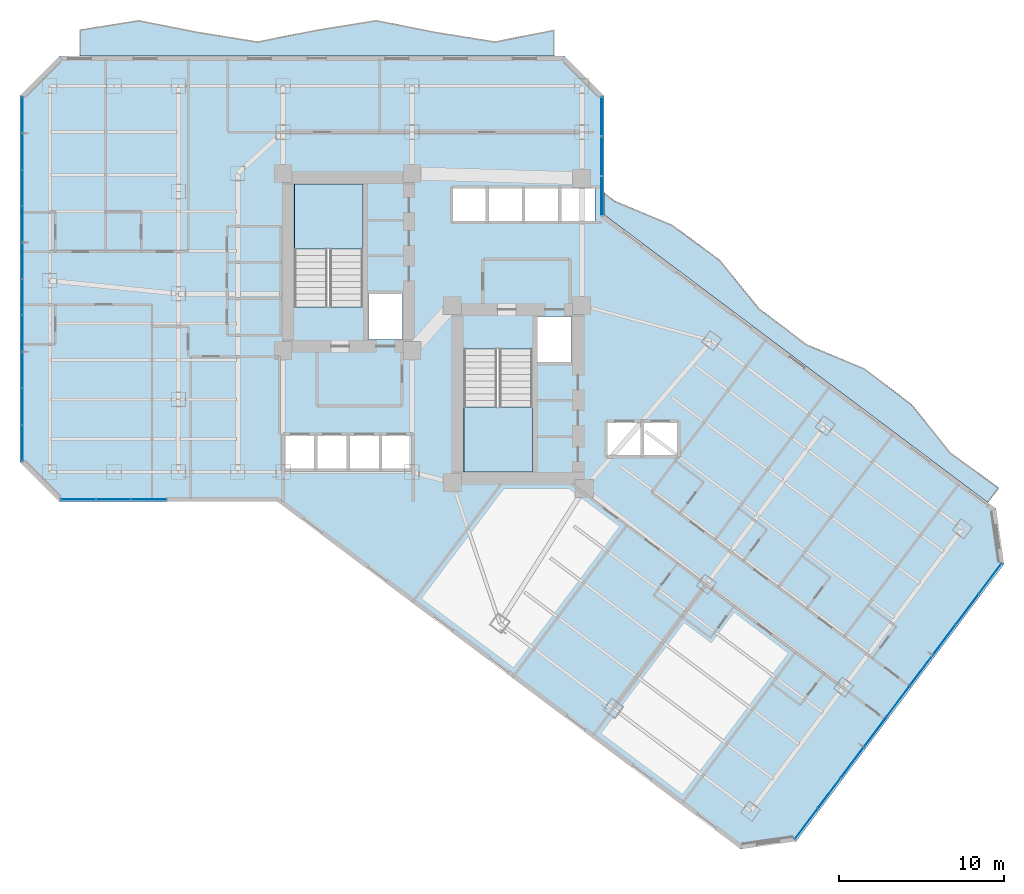
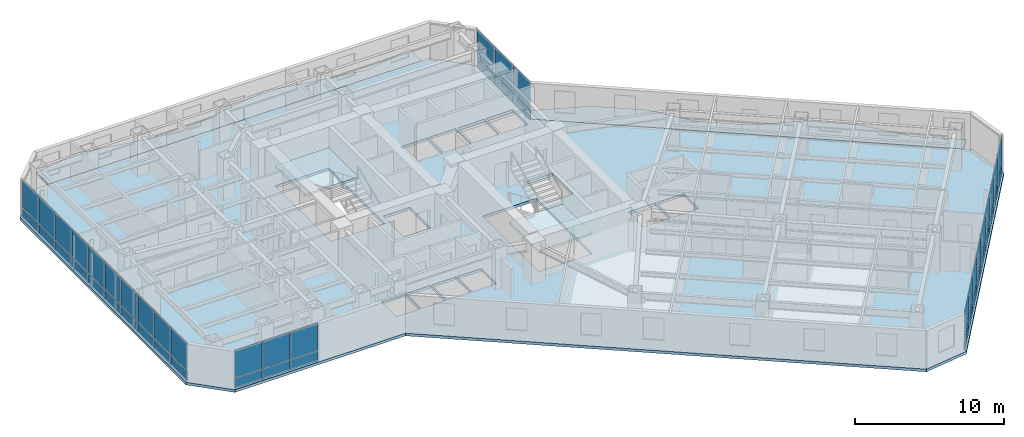
# One storey, part 20 of 31: 50 plates, 5 slabs, 6 elements without a shape of their own.
"""IFC4 building model written with IfcOpenShell, lengths in metres."""

import ifcopenshell
import ifcopenshell.guid

model = None  # the IFC model being written
_history = None  # IfcOwnerHistory: only IFC2X3 demands one
_inside = {}  # id of a spatial element -> (the spatial element, [elements in it])
_under = {}  # id of a project, library or spatial element -> (it, [spatial elements below it])
_declared = {}  # id of a project -> (the project, [libraries it declares])
_typed = {}  # id of a type object -> (the type object, [elements of that type])
_made_of = {}  # id of a material, layer set ... -> (it, [elements and type objects made of it])


def new_model(schema):
    """Start an empty IFC model of exactly this schema.

    Asked for "IFC4X3", IfcOpenShell would pick the latest addendum, in which some entities
    have other attributes; the version numbers below select the first issue.
    IFC2X3 requires an IfcOwnerHistory on every rooted entity: one is made here for all.
    """
    global model, _history
    if schema == "IFC4X3":
        model = ifcopenshell.file(schema_version=(4, 3, 0, 0))
    else:
        model = ifcopenshell.file(schema=schema)
    _inside.clear()
    _under.clear()
    _declared.clear()
    _typed.clear()
    _made_of.clear()
    _history = None
    if model.schema == "IFC2X3":
        org = make("IfcOrganization", Name="unknown")
        user = make(
            "IfcPersonAndOrganization",
            ThePerson=make("IfcPerson", FamilyName="unknown"),
            TheOrganization=org,
        )
        app = make(
            "IfcApplication",
            ApplicationDeveloper=org,
            Version="unknown",
            ApplicationFullName="unknown",
            ApplicationIdentifier="unknown",
        )
        _history = make(
            "IfcOwnerHistory",
            OwningUser=user,
            OwningApplication=app,
            ChangeAction="ADDED",
            CreationDate=0,
        )
    return model


def make(cls, **values):
    """One entity of the class cls with the attributes given. An attribute that is None is left unset."""
    return model.create_entity(
        cls, **{name: value for name, value in values.items() if value is not None}
    )


def rooted(cls, **values):
    """An entity with a GlobalId (a new one), such as an element, a storey or a relation."""
    return make(cls, GlobalId=ifcopenshell.guid.new(), OwnerHistory=_history, **values)


def si_unit(unit_type, name, prefix=None):
    """IfcSIUnit, for example si_unit("LENGTHUNIT", "METRE", prefix="MILLI")."""
    return make("IfcSIUnit", UnitType=unit_type, Prefix=prefix, Name=name)


def assignment(units):
    """IfcUnitAssignment: the units of a project."""
    return None if units is None else make("IfcUnitAssignment", Units=units)


def point(xyz):
    """IfcCartesianPoint."""
    return None if xyz is None else make("IfcCartesianPoint", Coordinates=xyz)


def direction(xyz):
    """IfcDirection."""
    return None if xyz is None else make("IfcDirection", DirectionRatios=xyz)


def frame(location, z_axis=None, x_axis=None):
    """IfcAxis2Placement3D, a coordinate frame: its origin and axes. An axis left out is left unset."""
    return make(
        "IfcAxis2Placement3D",
        Location=point(location),
        Axis=direction(z_axis),
        RefDirection=direction(x_axis),
    )


def frame_2d(location, x_axis=None):
    """IfcAxis2Placement2D, a coordinate frame in the plane: its origin and x axis."""
    return make(
        "IfcAxis2Placement2D", Location=point(location), RefDirection=direction(x_axis)
    )


def origin():
    """The frame at (0, 0, 0) with its axes left unset."""
    return frame((0.0, 0.0, 0.0))


def origin_2d():
    """The frame at (0, 0) in the plane with its x axis left unset."""
    return frame_2d((0.0, 0.0))


def place(relative_to, where):
    """IfcLocalPlacement: puts the frame where relative to a parent placement (None: the world)."""
    return make(
        "IfcLocalPlacement", PlacementRelTo=relative_to, RelativePlacement=where
    )


def context(
    kind, dimensions, precision=None, world=None, true_north=None, identifier=None
):
    """IfcGeometricRepresentationContext, for example the 3D "Model" context."""
    return make(
        "IfcGeometricRepresentationContext",
        ContextIdentifier=identifier,
        ContextType=kind,
        CoordinateSpaceDimension=dimensions,
        Precision=precision,
        WorldCoordinateSystem=world,
        TrueNorth=true_north,
    )


def subcontext(parent, identifier, kind, view, scale=None):
    """IfcGeometricRepresentationSubContext, for example "Body" below "Model"."""
    return make(
        "IfcGeometricRepresentationSubContext",
        ContextIdentifier=identifier,
        ContextType=kind,
        ParentContext=parent,
        TargetScale=scale,
        TargetView=view,
    )


def project(units=None, contexts=None):
    """IfcProject with its units and contexts."""
    return rooted(
        "IfcProject",
        Name="project",
        RepresentationContexts=contexts,
        UnitsInContext=assignment(units),
    )


def spatial(cls, under=None, at=None, **own):
    """A site, building, storey or space (cls), placed at a placement, below another one or the project."""
    s = rooted(cls, ObjectPlacement=at, **own)
    if under is not None:
        _under.setdefault(under.id(), (under, []))[1].append(s)
    return s


def polyline(points):
    """IfcPolyline through the points."""
    return make("IfcPolyline", Points=[point(p) for p in points])


def profile(cls, at=None, kind="AREA", **sizes):
    """A parametric profile (cls). Its sizes go by their IFC names, for example OverallWidth=200.0."""
    return make(cls, ProfileType=kind, Position=at, **sizes)


def rectangle(**sizes):
    """IfcRectangleProfileDef."""
    return profile("IfcRectangleProfileDef", **sizes)


def outline(outer, holes=None, kind="AREA"):
    """IfcArbitraryClosedProfileDef: a profile drawn as a closed curve; with holes, ...WithVoids."""
    if holes is None:
        return make("IfcArbitraryClosedProfileDef", ProfileType=kind, OuterCurve=outer)
    return make(
        "IfcArbitraryProfileDefWithVoids",
        ProfileType=kind,
        OuterCurve=outer,
        InnerCurves=holes,
    )


def extrude(swept, where, along, depth):
    """IfcExtrudedAreaSolid: the profile swept, set in the frame where, extruded along a direction by depth."""
    return make(
        "IfcExtrudedAreaSolid",
        SweptArea=swept,
        Position=where,
        ExtrudedDirection=direction(along),
        Depth=depth,
    )


def shape(context_of_items, identifier, shape_type, items):
    """IfcShapeRepresentation: the items that make up one representation, for example the "Body"."""
    return make(
        "IfcShapeRepresentation",
        ContextOfItems=context_of_items,
        RepresentationIdentifier=identifier,
        RepresentationType=shape_type,
        Items=items,
    )


def material(Name=None, Category=None):
    """IfcMaterial."""
    return make("IfcMaterial", Name=Name, Category=Category)


def layer(
    of_material, thickness, ventilated=None, Name=None, Category=None, Priority=None
):
    """IfcMaterialLayer: one layer of a wall or slab, of a material (None: an air gap)."""
    return make(
        "IfcMaterialLayer",
        Material=of_material,
        LayerThickness=thickness,
        IsVentilated=ventilated,
        Name=Name,
        Category=Category,
        Priority=Priority,
    )


def layer_set(layers, Name=None):
    """IfcMaterialLayerSet."""
    return make("IfcMaterialLayerSet", MaterialLayers=layers, LayerSetName=Name)


def made_of(thing, what):
    """Note that an element or type object is made of a material, layer set ...; save() writes the relation."""
    if what is not None:
        _made_of.setdefault(what.id(), (what, []))[1].append(thing)
    return thing


def type_object(cls, material=None, **own):
    """A type object (cls), such as IfcWallType, which elements share."""
    return made_of(rooted(cls, **own), material)


def element(
    cls,
    number,
    at=None,
    inside=None,
    cuts=None,
    type_object=None,
    material=None,
    context=None,
    identifier="Body",
    shape_type=None,
    held_by="IfcProductDefinitionShape",
    body=None,
    shapes=None,
    **own,
):
    """One element of the class cls, such as IfcWall. Its Tag is "e" and its number.

    at: its placement. inside: the storey or other place that contains it. cuts: it is an
    opening in that element (IfcRelVoidsElement). A single representation is given by context,
    identifier, shape_type and body (its items); several are given by shapes. held_by: the class
    of the entity that holds the representations. save() writes the other relations.
    """
    e = rooted(cls, Tag="e%d" % number, ObjectPlacement=at, **own)
    if body is not None:
        shapes = [shape(context, identifier, shape_type, body)]
    if shapes is not None:
        e.Representation = make(held_by, Representations=shapes)
    if inside is not None:
        _inside.setdefault(inside.id(), (inside, []))[1].append(e)
    if cuts is not None:
        rooted(
            "IfcRelVoidsElement", RelatingBuildingElement=cuts, RelatedOpeningElement=e
        )
    if type_object is not None:
        _typed.setdefault(type_object.id(), (type_object, []))[1].append(e)
    return made_of(e, material)


def aggregate(whole, parts):
    """IfcRelAggregates: a whole, such as a stair, and the parts it consists of."""
    return rooted("IfcRelAggregates", RelatingObject=whole, RelatedObjects=parts)


def save(model, path):
    """Write the relations noted so far, then the file.

    IfcRelAggregates (storeys below a building ...), IfcRelContainedInSpatialStructure (elements
    in a storey), IfcRelDefinesByType, IfcRelAssociatesMaterial and IfcRelDeclares: one each for
    every whole, place, type object, material and project.
    """
    for whole, parts in _under.values():
        aggregate(whole, parts)
    for where, things in _inside.values():
        rooted(
            "IfcRelContainedInSpatialStructure",
            RelatedElements=things,
            RelatingStructure=where,
        )
    for kind, things in _typed.values():
        rooted("IfcRelDefinesByType", RelatedObjects=things, RelatingType=kind)
    for what, things in _made_of.values():
        rooted("IfcRelAssociatesMaterial", RelatedObjects=things, RelatingMaterial=what)
    for by, libraries in _declared.values():
        rooted("IfcRelDeclares", RelatingContext=by, RelatedDefinitions=libraries)
    model.write(path)


model = new_model("IFC4")

# Units and contexts
model_context = context("Model", 3, precision=1e-05, world=origin(), true_north=direction((0.0, 1.0)))
body_context = subcontext(model_context, "Body", "Model", "MODEL_VIEW")
ifc_project = project(units=[si_unit("LENGTHUNIT", "METRE"), si_unit("AREAUNIT", "SQUARE_METRE"), si_unit("VOLUMEUNIT", "CUBIC_METRE"), si_unit("PLANEANGLEUNIT", "RADIAN"), si_unit("MASSUNIT", "GRAM", prefix="KILO")], contexts=[model_context])

# Site, building, storey
site_placement = place(None, origin())
site = spatial("IfcSite", under=ifc_project, at=site_placement, CompositionType="ELEMENT")
building_placement = place(site_placement, origin())
building = spatial("IfcBuilding", under=site, at=building_placement, Name="Hatsunagi Terrace Concourse", CompositionType="ELEMENT")
storey_placement = place(building_placement, frame((0.0, 0.0, 81.300048828125)))
storey = spatial("IfcBuildingStorey", under=building, at=storey_placement, Name="L21", CompositionType="ELEMENT", Elevation=81.300048828125)

# Curtain wall, plates
ifc_material_1 = material(Name="Anodised Aluminium Alloy 6063-T5", Category="aluminium")
ifc_layer_1 = layer(ifc_material_1, 0.199951171875)
ifc_layer_set_1 = layer_set([ifc_layer_1], Name="HotelFacade_CW02")
curtain_wall_type = type_object("IfcCurtainWallType", Name="HotelFacade_CW02", PredefinedType="NOTDEFINED", material=ifc_layer_set_1)
curtain_wall_1_placement = place(storey_placement, origin())
curtain_wall_1 = element("IfcCurtainWall", 1, at=curtain_wall_1_placement, inside=storey, type_object=curtain_wall_type, Name="Unitised Curtain Wall CW-02 CW-L21-03", PredefinedType="NOTDEFINED")
ifc_material_2 = material(Name="Warm Terracotta Ceramic Spandrel Panel", Category="masonry")
ifc_layer_2 = layer(ifc_material_2, 0.031982421875)
ifc_layer_set_2 = layer_set([ifc_layer_2], Name="CurtainWallSpandrelPanel_32")
plate_type_1 = type_object("IfcPlateType", Name="CurtainWallSpandrelPanel_32", PredefinedType="SHEET", material=ifc_layer_set_2)
plate_1_placement = place(storey_placement, frame((68.39697265625, 18.72998046875, 0.030029296875), z_axis=(0.0, 0.0, 1.0), x_axis=(-0.599969314634, -0.800023013105, 0.0)))
plate_1 = element("IfcPlate", 2, at=plate_1_placement, type_object=plate_type_1, Name="Terracotta Spandrel Panel SPN-01", PredefinedType="SHEET", context=body_context, shape_type="SweptSolid", body=[
    extrude(rectangle(XDim=2.264892578125, YDim=0.031982421875, at=origin_2d()), origin(), (0.0, 0.0, 1.0), 0.7900390625),
])
plate_2_placement = place(storey_placement, frame((67.0048828125, 16.873046875, 0.030029296875), z_axis=(0.0, 0.0, 1.0), x_axis=(-0.599969314634, -0.800023013105, 0.0)))
plate_2 = element("IfcPlate", 3, at=plate_2_placement, type_object=plate_type_1, Name="Terracotta Spandrel Panel SPN-01", PredefinedType="SHEET", context=body_context, shape_type="SweptSolid", body=[
    extrude(rectangle(XDim=2.264892578125, YDim=0.031982421875, at=origin_2d()), origin(), (0.0, 0.0, 1.0), 0.7900390625),
])
plate_3_placement = place(storey_placement, frame((65.612060546875, 15.01708984375, 0.030029296875), z_axis=(0.0, 0.0, 1.0), x_axis=(-0.599969314634, -0.800023013105, 0.0)))
plate_3 = element("IfcPlate", 4, at=plate_3_placement, type_object=plate_type_1, Name="Terracotta Spandrel Panel SPN-01", PredefinedType="SHEET", context=body_context, shape_type="SweptSolid", body=[
    extrude(rectangle(XDim=2.264892578125, YDim=0.031982421875, at=origin_2d()), origin(), (0.0, 0.0, 1.0), 0.7900390625),
])
plate_4_placement = place(storey_placement, frame((64.219970703125, 13.159912109375, 0.030029296875), z_axis=(0.0, 0.0, 1.0), x_axis=(-0.599969314634, -0.800023013105, 0.0)))
plate_4 = element("IfcPlate", 5, at=plate_4_placement, type_object=plate_type_1, Name="Terracotta Spandrel Panel SPN-01", PredefinedType="SHEET", context=body_context, shape_type="SweptSolid", body=[
    extrude(rectangle(XDim=2.264892578125, YDim=0.031982421875, at=origin_2d()), origin(), (0.0, 0.0, 1.0), 0.7900390625),
])
plate_5_placement = place(storey_placement, frame((62.827880859375, 11.303955078125, 0.030029296875), z_axis=(0.0, 0.0, 1.0), x_axis=(-0.599969314634, -0.800023013105, 0.0)))
plate_5 = element("IfcPlate", 6, at=plate_5_placement, type_object=plate_type_1, Name="Terracotta Spandrel Panel SPN-01", PredefinedType="SHEET", context=body_context, shape_type="SweptSolid", body=[
    extrude(rectangle(XDim=2.264892578125, YDim=0.031982421875, at=origin_2d()), origin(), (0.0, 0.0, 1.0), 0.7900390625),
])
plate_6_placement = place(storey_placement, frame((61.43603515625, 9.447998046875, 0.030029296875), z_axis=(0.0, 0.0, 1.0), x_axis=(-0.599969314634, -0.800023013105, 0.0)))
plate_6 = element("IfcPlate", 7, at=plate_6_placement, type_object=plate_type_1, Name="Terracotta Spandrel Panel SPN-01", PredefinedType="SHEET", context=body_context, shape_type="SweptSolid", body=[
    extrude(rectangle(XDim=2.264892578125, YDim=0.031982421875, at=origin_2d()), origin(), (0.0, 0.0, 1.0), 0.7900390625),
])
plate_7_placement = place(storey_placement, frame((60.0439453125, 7.591064453125, 0.030029296875), z_axis=(0.0, 0.0, 1.0), x_axis=(-0.599969314634, -0.800023013105, 0.0)))
plate_7 = element("IfcPlate", 8, at=plate_7_placement, type_object=plate_type_1, Name="Terracotta Spandrel Panel SPN-01", PredefinedType="SHEET", context=body_context, shape_type="SweptSolid", body=[
    extrude(rectangle(XDim=2.264892578125, YDim=0.031982421875, at=origin_2d()), origin(), (0.0, 0.0, 1.0), 0.7900390625),
])
plate_8_placement = place(storey_placement, frame((58.65087890625, 5.735107421875, 0.030029296875), z_axis=(0.0, 0.0, 1.0), x_axis=(-0.599969314634, -0.800023013105, 0.0)))
plate_8 = element("IfcPlate", 9, at=plate_8_placement, type_object=plate_type_1, Name="Terracotta Spandrel Panel SPN-01", PredefinedType="SHEET", context=body_context, shape_type="SweptSolid", body=[
    extrude(rectangle(XDim=2.264892578125, YDim=0.031982421875, at=origin_2d()), origin(), (0.0, 0.0, 1.0), 0.7900390625),
])
plate_9_placement = place(storey_placement, frame((57.259033203125, 3.8779296875, 0.030029296875), z_axis=(0.0, 0.0, 1.0), x_axis=(-0.599969314634, -0.800023013105, 0.0)))
plate_9 = element("IfcPlate", 10, at=plate_9_placement, type_object=plate_type_1, Name="Terracotta Spandrel Panel SPN-01", PredefinedType="SHEET", context=body_context, shape_type="SweptSolid", body=[
    extrude(rectangle(XDim=2.264892578125, YDim=0.031982421875, at=origin_2d()), origin(), (0.0, 0.0, 1.0), 0.7900390625),
])

curtain_wall_2_placement = place(storey_placement, origin())
curtain_wall_2 = element("IfcCurtainWall", 11, at=curtain_wall_2_placement, inside=storey, type_object=curtain_wall_type, Name="Unitised Curtain Wall CW-02 CW-L21-07", PredefinedType="NOTDEFINED")
plate_10_placement = place(storey_placement, frame((17.426025390625, 23.5400390625, 0.030029296875), z_axis=(0.0, 0.0, 1.0), x_axis=(-1.0, 0.0, 0.0)))
plate_10 = element("IfcPlate", 12, at=plate_10_placement, type_object=plate_type_1, Name="Terracotta Spandrel Panel SPN-01", PredefinedType="SHEET", context=body_context, shape_type="SweptSolid", body=[
    extrude(rectangle(XDim=2.092041015625, YDim=0.031982421875, at=origin_2d()), origin(), (0.0, 0.0, 1.0), 0.7900390625),
])
plate_11_placement = place(storey_placement, frame((15.279052734375, 23.5400390625, 0.030029296875), z_axis=(0.0, 0.0, 1.0), x_axis=(-1.0, 0.0, 0.0)))
plate_11 = element("IfcPlate", 13, at=plate_11_placement, type_object=plate_type_1, Name="Terracotta Spandrel Panel SPN-01", PredefinedType="SHEET", context=body_context, shape_type="SweptSolid", body=[
    extrude(rectangle(XDim=2.092041015625, YDim=0.031982421875, at=origin_2d()), origin(), (0.0, 0.0, 1.0), 0.7900390625),
])
plate_12_placement = place(storey_placement, frame((13.132080078125, 23.5400390625, 0.030029296875), z_axis=(0.0, 0.0, 1.0), x_axis=(-1.0, 0.0, 0.0)))
plate_12 = element("IfcPlate", 14, at=plate_12_placement, type_object=plate_type_1, Name="Terracotta Spandrel Panel SPN-01", PredefinedType="SHEET", context=body_context, shape_type="SweptSolid", body=[
    extrude(rectangle(XDim=2.092041015625, YDim=0.031982421875, at=origin_2d()), origin(), (0.0, 0.0, 1.0), 0.7900390625),
])

curtain_wall_3_placement = place(storey_placement, origin())
curtain_wall_3 = element("IfcCurtainWall", 15, at=curtain_wall_3_placement, inside=storey, type_object=curtain_wall_type, Name="Unitised Curtain Wall CW-02 CW-L21-09", PredefinedType="NOTDEFINED")
plate_13_placement = place(storey_placement, frame((9.739990234375, 26.9619140625, 0.030029296875), z_axis=(0.0, 0.0, 1.0), x_axis=(0.0, 1.0, 0.0)))
plate_13 = element("IfcPlate", 16, at=plate_13_placement, type_object=plate_type_1, Name="Terracotta Spandrel Panel SPN-01", PredefinedType="SHEET", context=body_context, shape_type="SweptSolid", body=[
    extrude(rectangle(XDim=2.153076171875, YDim=0.031982421875, at=origin_2d()), origin(), (0.0, 0.0, 1.0), 0.7900390625),
])
plate_14_placement = place(storey_placement, frame((9.739990234375, 29.1708984375, 0.030029296875), z_axis=(0.0, 0.0, 1.0), x_axis=(0.0, 1.0, 0.0)))
plate_14 = element("IfcPlate", 17, at=plate_14_placement, type_object=plate_type_1, Name="Terracotta Spandrel Panel SPN-01", PredefinedType="SHEET", context=body_context, shape_type="SweptSolid", body=[
    extrude(rectangle(XDim=2.153076171875, YDim=0.031982421875, at=origin_2d()), origin(), (0.0, 0.0, 1.0), 0.7900390625),
])
plate_15_placement = place(storey_placement, frame((9.739990234375, 31.37890625, 0.030029296875), z_axis=(0.0, 0.0, 1.0), x_axis=(0.0, 1.0, 0.0)))
plate_15 = element("IfcPlate", 18, at=plate_15_placement, type_object=plate_type_1, Name="Terracotta Spandrel Panel SPN-01", PredefinedType="SHEET", context=body_context, shape_type="SweptSolid", body=[
    extrude(rectangle(XDim=2.153076171875, YDim=0.031982421875, at=origin_2d()), origin(), (0.0, 0.0, 1.0), 0.7900390625),
])
plate_16_placement = place(storey_placement, frame((9.739990234375, 33.5869140625, 0.030029296875), z_axis=(0.0, 0.0, 1.0), x_axis=(0.0, 1.0, 0.0)))
plate_16 = element("IfcPlate", 19, at=plate_16_placement, type_object=plate_type_1, Name="Terracotta Spandrel Panel SPN-01", PredefinedType="SHEET", context=body_context, shape_type="SweptSolid", body=[
    extrude(rectangle(XDim=2.153076171875, YDim=0.031982421875, at=origin_2d()), origin(), (0.0, 0.0, 1.0), 0.7900390625),
])
plate_17_placement = place(storey_placement, frame((9.739990234375, 35.7958984375, 0.030029296875), z_axis=(0.0, 0.0, 1.0), x_axis=(0.0, 1.0, 0.0)))
plate_17 = element("IfcPlate", 20, at=plate_17_placement, type_object=plate_type_1, Name="Terracotta Spandrel Panel SPN-01", PredefinedType="SHEET", context=body_context, shape_type="SweptSolid", body=[
    extrude(rectangle(XDim=2.153076171875, YDim=0.031982421875, at=origin_2d()), origin(), (0.0, 0.0, 1.0), 0.7900390625),
])
plate_18_placement = place(storey_placement, frame((9.739990234375, 38.00390625, 0.030029296875), z_axis=(0.0, 0.0, 1.0), x_axis=(0.0, 1.0, 0.0)))
plate_18 = element("IfcPlate", 21, at=plate_18_placement, type_object=plate_type_1, Name="Terracotta Spandrel Panel SPN-01", PredefinedType="SHEET", context=body_context, shape_type="SweptSolid", body=[
    extrude(rectangle(XDim=2.153076171875, YDim=0.031982421875, at=origin_2d()), origin(), (0.0, 0.0, 1.0), 0.7900390625),
])
plate_19_placement = place(storey_placement, frame((9.739990234375, 40.212890625, 0.030029296875), z_axis=(0.0, 0.0, 1.0), x_axis=(0.0, 1.0, 0.0)))
plate_19 = element("IfcPlate", 22, at=plate_19_placement, type_object=plate_type_1, Name="Terracotta Spandrel Panel SPN-01", PredefinedType="SHEET", context=body_context, shape_type="SweptSolid", body=[
    extrude(rectangle(XDim=2.153076171875, YDim=0.031982421875, at=origin_2d()), origin(), (0.0, 0.0, 1.0), 0.7900390625),
])
plate_20_placement = place(storey_placement, frame((9.739990234375, 42.4208984375, 0.030029296875), z_axis=(0.0, 0.0, 1.0), x_axis=(0.0, 1.0, 0.0)))
plate_20 = element("IfcPlate", 23, at=plate_20_placement, type_object=plate_type_1, Name="Terracotta Spandrel Panel SPN-01", PredefinedType="SHEET", context=body_context, shape_type="SweptSolid", body=[
    extrude(rectangle(XDim=2.153076171875, YDim=0.031982421875, at=origin_2d()), origin(), (0.0, 0.0, 1.0), 0.7900390625),
])
plate_21_placement = place(storey_placement, frame((9.739990234375, 44.62890625, 0.030029296875), z_axis=(0.0, 0.0, 1.0), x_axis=(0.0, 1.0, 0.0)))
plate_21 = element("IfcPlate", 24, at=plate_21_placement, type_object=plate_type_1, Name="Terracotta Spandrel Panel SPN-01", PredefinedType="SHEET", context=body_context, shape_type="SweptSolid", body=[
    extrude(rectangle(XDim=2.153076171875, YDim=0.031982421875, at=origin_2d()), origin(), (0.0, 0.0, 1.0), 0.7900390625),
])
plate_22_placement = place(storey_placement, frame((9.739990234375, 46.837890625, 0.030029296875), z_axis=(0.0, 0.0, 1.0), x_axis=(0.0, 1.0, 0.0)))
plate_22 = element("IfcPlate", 25, at=plate_22_placement, type_object=plate_type_1, Name="Terracotta Spandrel Panel SPN-01", PredefinedType="SHEET", context=body_context, shape_type="SweptSolid", body=[
    extrude(rectangle(XDim=2.153076171875, YDim=0.031982421875, at=origin_2d()), origin(), (0.0, 0.0, 1.0), 0.7900390625),
])

curtain_wall_4_placement = place(storey_placement, origin())
curtain_wall_4 = element("IfcCurtainWall", 26, at=curtain_wall_4_placement, inside=storey, type_object=curtain_wall_type, Name="Unitised Curtain Wall CW-02 CW-L21-13", PredefinedType="NOTDEFINED")
plate_23_placement = place(storey_placement, frame((44.860107421875, 46.739990234375, 0.030029296875), z_axis=(0.0, 0.0, 1.0), x_axis=(0.0, -1.0, 0.0)))
plate_23 = element("IfcPlate", 27, at=plate_23_placement, type_object=plate_type_1, Name="Terracotta Spandrel Panel SPN-01", PredefinedType="SHEET", context=body_context, shape_type="SweptSolid", body=[
    extrude(rectangle(XDim=2.34912109375, YDim=0.031982421875, at=origin_2d()), origin(), (0.0, 0.0, 1.0), 0.7900390625),
])
plate_24_placement = place(storey_placement, frame((44.860107421875, 44.3359375, 0.030029296875), z_axis=(0.0, 0.0, 1.0), x_axis=(0.0, -1.0, 0.0)))
plate_24 = element("IfcPlate", 28, at=plate_24_placement, type_object=plate_type_1, Name="Terracotta Spandrel Panel SPN-01", PredefinedType="SHEET", context=body_context, shape_type="SweptSolid", body=[
    extrude(rectangle(XDim=2.34912109375, YDim=0.031982421875, at=origin_2d()), origin(), (0.0, 0.0, 1.0), 0.7900390625),
])
plate_25_placement = place(storey_placement, frame((44.860107421875, 41.931884765625, 0.030029296875), z_axis=(0.0, 0.0, 1.0), x_axis=(0.0, -1.0, 0.0)))
plate_25 = element("IfcPlate", 29, at=plate_25_placement, type_object=plate_type_1, Name="Terracotta Spandrel Panel SPN-01", PredefinedType="SHEET", context=body_context, shape_type="SweptSolid", body=[
    extrude(rectangle(XDim=2.34912109375, YDim=0.031982421875, at=origin_2d()), origin(), (0.0, 0.0, 1.0), 0.7900390625),
])

# Plate
ifc_material_3 = material(Name="Low-E Double Insulating Glass 28mm", Category="glass")
ifc_layer_3 = layer(ifc_material_3, 0.028076171875)
ifc_layer_set_3 = layer_set([ifc_layer_3], Name="CurtainWallVisionGlass_28")
plate_type_2 = type_object("IfcPlateType", Name="CurtainWallVisionGlass_28", PredefinedType="CURTAIN_PANEL", material=ifc_layer_set_3)
plate_26_placement = place(storey_placement, frame((68.39697265625, 18.72998046875, 0.8798828125), z_axis=(0.0, 0.0, 1.0), x_axis=(-0.599969314634, -0.800023013105, 0.0)))
plate_26 = element("IfcPlate", 30, at=plate_26_placement, type_object=plate_type_2, Name="Low-E Vision Glass Panel GLZ-01", PredefinedType="CURTAIN_PANEL", context=body_context, shape_type="SweptSolid", body=[
    extrude(rectangle(XDim=2.264892578125, YDim=0.028076171875, at=origin_2d()), origin(), (0.0, 0.0, 1.0), 2.219970703125),
])

plate_27_placement = place(storey_placement, frame((67.0048828125, 16.873046875, 0.8798828125), z_axis=(0.0, 0.0, 1.0), x_axis=(-0.599969314634, -0.800023013105, 0.0)))
plate_27 = element("IfcPlate", 31, at=plate_27_placement, type_object=plate_type_2, Name="Low-E Vision Glass Panel GLZ-01", PredefinedType="CURTAIN_PANEL", context=body_context, shape_type="SweptSolid", body=[
    extrude(rectangle(XDim=2.264892578125, YDim=0.028076171875, at=origin_2d()), origin(), (0.0, 0.0, 1.0), 2.219970703125),
])

plate_28_placement = place(storey_placement, frame((65.612060546875, 15.01708984375, 0.8798828125), z_axis=(0.0, 0.0, 1.0), x_axis=(-0.599969314634, -0.800023013105, 0.0)))
plate_28 = element("IfcPlate", 32, at=plate_28_placement, type_object=plate_type_2, Name="Low-E Vision Glass Panel GLZ-01", PredefinedType="CURTAIN_PANEL", context=body_context, shape_type="SweptSolid", body=[
    extrude(rectangle(XDim=2.264892578125, YDim=0.028076171875, at=origin_2d()), origin(), (0.0, 0.0, 1.0), 2.219970703125),
])

plate_29_placement = place(storey_placement, frame((64.219970703125, 13.159912109375, 0.8798828125), z_axis=(0.0, 0.0, 1.0), x_axis=(-0.599969314634, -0.800023013105, 0.0)))
plate_29 = element("IfcPlate", 33, at=plate_29_placement, type_object=plate_type_2, Name="Low-E Vision Glass Panel GLZ-01", PredefinedType="CURTAIN_PANEL", context=body_context, shape_type="SweptSolid", body=[
    extrude(rectangle(XDim=2.264892578125, YDim=0.028076171875, at=origin_2d()), origin(), (0.0, 0.0, 1.0), 2.219970703125),
])

plate_30_placement = place(storey_placement, frame((62.827880859375, 11.303955078125, 0.8798828125), z_axis=(0.0, 0.0, 1.0), x_axis=(-0.599969314634, -0.800023013105, 0.0)))
plate_30 = element("IfcPlate", 34, at=plate_30_placement, type_object=plate_type_2, Name="Low-E Vision Glass Panel GLZ-01", PredefinedType="CURTAIN_PANEL", context=body_context, shape_type="SweptSolid", body=[
    extrude(rectangle(XDim=2.264892578125, YDim=0.028076171875, at=origin_2d()), origin(), (0.0, 0.0, 1.0), 2.219970703125),
])

plate_31_placement = place(storey_placement, frame((61.43603515625, 9.447998046875, 0.8798828125), z_axis=(0.0, 0.0, 1.0), x_axis=(-0.599969314634, -0.800023013105, 0.0)))
plate_31 = element("IfcPlate", 35, at=plate_31_placement, type_object=plate_type_2, Name="Low-E Vision Glass Panel GLZ-01", PredefinedType="CURTAIN_PANEL", context=body_context, shape_type="SweptSolid", body=[
    extrude(rectangle(XDim=2.264892578125, YDim=0.028076171875, at=origin_2d()), origin(), (0.0, 0.0, 1.0), 2.219970703125),
])

plate_32_placement = place(storey_placement, frame((60.0439453125, 7.591064453125, 0.8798828125), z_axis=(0.0, 0.0, 1.0), x_axis=(-0.599969314634, -0.800023013105, 0.0)))
plate_32 = element("IfcPlate", 36, at=plate_32_placement, type_object=plate_type_2, Name="Low-E Vision Glass Panel GLZ-01", PredefinedType="CURTAIN_PANEL", context=body_context, shape_type="SweptSolid", body=[
    extrude(rectangle(XDim=2.264892578125, YDim=0.028076171875, at=origin_2d()), origin(), (0.0, 0.0, 1.0), 2.219970703125),
])

plate_33_placement = place(storey_placement, frame((58.65087890625, 5.735107421875, 0.8798828125), z_axis=(0.0, 0.0, 1.0), x_axis=(-0.599969314634, -0.800023013105, 0.0)))
plate_33 = element("IfcPlate", 37, at=plate_33_placement, type_object=plate_type_2, Name="Low-E Vision Glass Panel GLZ-01", PredefinedType="CURTAIN_PANEL", context=body_context, shape_type="SweptSolid", body=[
    extrude(rectangle(XDim=2.264892578125, YDim=0.028076171875, at=origin_2d()), origin(), (0.0, 0.0, 1.0), 2.219970703125),
])

plate_34_placement = place(storey_placement, frame((57.259033203125, 3.8779296875, 0.8798828125), z_axis=(0.0, 0.0, 1.0), x_axis=(-0.599969314634, -0.800023013105, 0.0)))
plate_34 = element("IfcPlate", 38, at=plate_34_placement, type_object=plate_type_2, Name="Low-E Vision Glass Panel GLZ-01", PredefinedType="CURTAIN_PANEL", context=body_context, shape_type="SweptSolid", body=[
    extrude(rectangle(XDim=2.264892578125, YDim=0.028076171875, at=origin_2d()), origin(), (0.0, 0.0, 1.0), 2.219970703125),
])

aggregate(curtain_wall_1, [plate_1, plate_26, plate_2, plate_27, plate_3, plate_28, plate_4, plate_29, plate_5, plate_30, plate_6, plate_31, plate_7, plate_32, plate_8, plate_33, plate_9, plate_34])

plate_35_placement = place(storey_placement, frame((17.426025390625, 23.5400390625, 0.8798828125), z_axis=(0.0, 0.0, 1.0), x_axis=(-1.0, 0.0, 0.0)))
plate_35 = element("IfcPlate", 39, at=plate_35_placement, type_object=plate_type_2, Name="Low-E Vision Glass Panel GLZ-01", PredefinedType="CURTAIN_PANEL", context=body_context, shape_type="SweptSolid", body=[
    extrude(rectangle(XDim=2.092041015625, YDim=0.028076171875, at=origin_2d()), origin(), (0.0, 0.0, 1.0), 2.219970703125),
])

plate_36_placement = place(storey_placement, frame((15.279052734375, 23.5400390625, 0.8798828125), z_axis=(0.0, 0.0, 1.0), x_axis=(-1.0, 0.0, 0.0)))
plate_36 = element("IfcPlate", 40, at=plate_36_placement, type_object=plate_type_2, Name="Low-E Vision Glass Panel GLZ-01", PredefinedType="CURTAIN_PANEL", context=body_context, shape_type="SweptSolid", body=[
    extrude(rectangle(XDim=2.092041015625, YDim=0.028076171875, at=origin_2d()), origin(), (0.0, 0.0, 1.0), 2.219970703125),
])

plate_37_placement = place(storey_placement, frame((13.132080078125, 23.5400390625, 0.8798828125), z_axis=(0.0, 0.0, 1.0), x_axis=(-1.0, 0.0, 0.0)))
plate_37 = element("IfcPlate", 41, at=plate_37_placement, type_object=plate_type_2, Name="Low-E Vision Glass Panel GLZ-01", PredefinedType="CURTAIN_PANEL", context=body_context, shape_type="SweptSolid", body=[
    extrude(rectangle(XDim=2.092041015625, YDim=0.028076171875, at=origin_2d()), origin(), (0.0, 0.0, 1.0), 2.219970703125),
])

aggregate(curtain_wall_2, [plate_10, plate_35, plate_11, plate_36, plate_12, plate_37])

plate_38_placement = place(storey_placement, frame((9.739990234375, 26.9619140625, 0.8798828125), z_axis=(0.0, 0.0, 1.0), x_axis=(0.0, 1.0, 0.0)))
plate_38 = element("IfcPlate", 42, at=plate_38_placement, type_object=plate_type_2, Name="Low-E Vision Glass Panel GLZ-01", PredefinedType="CURTAIN_PANEL", context=body_context, shape_type="SweptSolid", body=[
    extrude(rectangle(XDim=2.153076171875, YDim=0.028076171875, at=origin_2d()), origin(), (0.0, 0.0, 1.0), 2.219970703125),
])

plate_39_placement = place(storey_placement, frame((9.739990234375, 29.1708984375, 0.8798828125), z_axis=(0.0, 0.0, 1.0), x_axis=(0.0, 1.0, 0.0)))
plate_39 = element("IfcPlate", 43, at=plate_39_placement, type_object=plate_type_2, Name="Low-E Vision Glass Panel GLZ-01", PredefinedType="CURTAIN_PANEL", context=body_context, shape_type="SweptSolid", body=[
    extrude(rectangle(XDim=2.153076171875, YDim=0.028076171875, at=origin_2d()), origin(), (0.0, 0.0, 1.0), 2.219970703125),
])

plate_40_placement = place(storey_placement, frame((9.739990234375, 31.37890625, 0.8798828125), z_axis=(0.0, 0.0, 1.0), x_axis=(0.0, 1.0, 0.0)))
plate_40 = element("IfcPlate", 44, at=plate_40_placement, type_object=plate_type_2, Name="Low-E Vision Glass Panel GLZ-01", PredefinedType="CURTAIN_PANEL", context=body_context, shape_type="SweptSolid", body=[
    extrude(rectangle(XDim=2.153076171875, YDim=0.028076171875, at=origin_2d()), origin(), (0.0, 0.0, 1.0), 2.219970703125),
])

plate_41_placement = place(storey_placement, frame((9.739990234375, 33.5869140625, 0.8798828125), z_axis=(0.0, 0.0, 1.0), x_axis=(0.0, 1.0, 0.0)))
plate_41 = element("IfcPlate", 45, at=plate_41_placement, type_object=plate_type_2, Name="Low-E Vision Glass Panel GLZ-01", PredefinedType="CURTAIN_PANEL", context=body_context, shape_type="SweptSolid", body=[
    extrude(rectangle(XDim=2.153076171875, YDim=0.028076171875, at=origin_2d()), origin(), (0.0, 0.0, 1.0), 2.219970703125),
])

plate_42_placement = place(storey_placement, frame((9.739990234375, 35.7958984375, 0.8798828125), z_axis=(0.0, 0.0, 1.0), x_axis=(0.0, 1.0, 0.0)))
plate_42 = element("IfcPlate", 46, at=plate_42_placement, type_object=plate_type_2, Name="Low-E Vision Glass Panel GLZ-01", PredefinedType="CURTAIN_PANEL", context=body_context, shape_type="SweptSolid", body=[
    extrude(rectangle(XDim=2.153076171875, YDim=0.028076171875, at=origin_2d()), origin(), (0.0, 0.0, 1.0), 2.219970703125),
])

plate_43_placement = place(storey_placement, frame((9.739990234375, 38.00390625, 0.8798828125), z_axis=(0.0, 0.0, 1.0), x_axis=(0.0, 1.0, 0.0)))
plate_43 = element("IfcPlate", 47, at=plate_43_placement, type_object=plate_type_2, Name="Low-E Vision Glass Panel GLZ-01", PredefinedType="CURTAIN_PANEL", context=body_context, shape_type="SweptSolid", body=[
    extrude(rectangle(XDim=2.153076171875, YDim=0.028076171875, at=origin_2d()), origin(), (0.0, 0.0, 1.0), 2.219970703125),
])

plate_44_placement = place(storey_placement, frame((9.739990234375, 40.212890625, 0.8798828125), z_axis=(0.0, 0.0, 1.0), x_axis=(0.0, 1.0, 0.0)))
plate_44 = element("IfcPlate", 48, at=plate_44_placement, type_object=plate_type_2, Name="Low-E Vision Glass Panel GLZ-01", PredefinedType="CURTAIN_PANEL", context=body_context, shape_type="SweptSolid", body=[
    extrude(rectangle(XDim=2.153076171875, YDim=0.028076171875, at=origin_2d()), origin(), (0.0, 0.0, 1.0), 2.219970703125),
])

plate_45_placement = place(storey_placement, frame((9.739990234375, 42.4208984375, 0.8798828125), z_axis=(0.0, 0.0, 1.0), x_axis=(0.0, 1.0, 0.0)))
plate_45 = element("IfcPlate", 49, at=plate_45_placement, type_object=plate_type_2, Name="Low-E Vision Glass Panel GLZ-01", PredefinedType="CURTAIN_PANEL", context=body_context, shape_type="SweptSolid", body=[
    extrude(rectangle(XDim=2.153076171875, YDim=0.028076171875, at=origin_2d()), origin(), (0.0, 0.0, 1.0), 2.219970703125),
])

plate_46_placement = place(storey_placement, frame((9.739990234375, 44.62890625, 0.8798828125), z_axis=(0.0, 0.0, 1.0), x_axis=(0.0, 1.0, 0.0)))
plate_46 = element("IfcPlate", 50, at=plate_46_placement, type_object=plate_type_2, Name="Low-E Vision Glass Panel GLZ-01", PredefinedType="CURTAIN_PANEL", context=body_context, shape_type="SweptSolid", body=[
    extrude(rectangle(XDim=2.153076171875, YDim=0.028076171875, at=origin_2d()), origin(), (0.0, 0.0, 1.0), 2.219970703125),
])

plate_47_placement = place(storey_placement, frame((9.739990234375, 46.837890625, 0.8798828125), z_axis=(0.0, 0.0, 1.0), x_axis=(0.0, 1.0, 0.0)))
plate_47 = element("IfcPlate", 51, at=plate_47_placement, type_object=plate_type_2, Name="Low-E Vision Glass Panel GLZ-01", PredefinedType="CURTAIN_PANEL", context=body_context, shape_type="SweptSolid", body=[
    extrude(rectangle(XDim=2.153076171875, YDim=0.028076171875, at=origin_2d()), origin(), (0.0, 0.0, 1.0), 2.219970703125),
])

aggregate(curtain_wall_3, [plate_13, plate_38, plate_14, plate_39, plate_15, plate_40, plate_16, plate_41, plate_17, plate_42, plate_18, plate_43, plate_19, plate_44, plate_20, plate_45, plate_21, plate_46, plate_22, plate_47])

plate_48_placement = place(storey_placement, frame((44.860107421875, 46.739990234375, 0.8798828125), z_axis=(0.0, 0.0, 1.0), x_axis=(0.0, -1.0, 0.0)))
plate_48 = element("IfcPlate", 52, at=plate_48_placement, type_object=plate_type_2, Name="Low-E Vision Glass Panel GLZ-01", PredefinedType="CURTAIN_PANEL", context=body_context, shape_type="SweptSolid", body=[
    extrude(rectangle(XDim=2.34912109375, YDim=0.028076171875, at=origin_2d()), origin(), (0.0, 0.0, 1.0), 2.219970703125),
])

plate_49_placement = place(storey_placement, frame((44.860107421875, 44.3359375, 0.8798828125), z_axis=(0.0, 0.0, 1.0), x_axis=(0.0, -1.0, 0.0)))
plate_49 = element("IfcPlate", 53, at=plate_49_placement, type_object=plate_type_2, Name="Low-E Vision Glass Panel GLZ-01", PredefinedType="CURTAIN_PANEL", context=body_context, shape_type="SweptSolid", body=[
    extrude(rectangle(XDim=2.34912109375, YDim=0.028076171875, at=origin_2d()), origin(), (0.0, 0.0, 1.0), 2.219970703125),
])

plate_50_placement = place(storey_placement, frame((44.860107421875, 41.931884765625, 0.8798828125), z_axis=(0.0, 0.0, 1.0), x_axis=(0.0, -1.0, 0.0)))
plate_50 = element("IfcPlate", 54, at=plate_50_placement, type_object=plate_type_2, Name="Low-E Vision Glass Panel GLZ-01", PredefinedType="CURTAIN_PANEL", context=body_context, shape_type="SweptSolid", body=[
    extrude(rectangle(XDim=2.34912109375, YDim=0.028076171875, at=origin_2d()), origin(), (0.0, 0.0, 1.0), 2.219970703125),
])

aggregate(curtain_wall_4, [plate_23, plate_48, plate_24, plate_49, plate_25, plate_50])

# Stair, slab
ifc_material_4 = material(Name="Concrete Fc42", Category="concrete")
stair_type = type_object("IfcStairType", Name="DoglegExitStair_Tower2000_20R_168", PredefinedType="HALF_TURN_STAIR", material=ifc_material_4)
stair_1_placement = place(storey_placement, origin())
stair_1 = element("IfcStair", 55, at=stair_1_placement, inside=storey, type_object=stair_type, Name="L21 Core A Protected Exit Stair ST-A", PredefinedType="HALF_TURN_STAIR")
ifc_material_5 = material(Name="Concrete Fc42", Category="concrete")
ifc_layer_4 = layer(ifc_material_5, 0.199951171875)
ifc_layer_set_4 = layer_set([ifc_layer_4], Name="DoglegStairLanding_Tower2000")
slab_type_1 = type_object("IfcSlabType", Name="DoglegStairLanding_Tower2000", PredefinedType="LANDING", material=ifc_layer_set_4)
slab_1_placement = place(storey_placement, frame((0.0, 0.0, 1.474853515625)))
slab_1 = element("IfcSlab", 56, at=slab_1_placement, type_object=slab_type_1, Name="ST-A landing 1", PredefinedType="LANDING", context=body_context, shape_type="SweptSolid", body=[
    extrude(outline(polyline([(30.3798828125, 38.7099609375), (30.3798828125, 42.659912109375), (26.22998046875, 42.659912109375), (26.22998046875, 38.7099609375), (30.3798828125, 38.7099609375)])), origin(), (0.0, 0.0, 1.0), 0.2001953125),
])
aggregate(stair_1, [slab_1])

stair_2_placement = place(storey_placement, origin())
stair_2 = element("IfcStair", 57, at=stair_2_placement, inside=storey, type_object=stair_type, Name="L21 Core B Protected Exit Stair ST-B", PredefinedType="HALF_TURN_STAIR")
slab_2_placement = place(storey_placement, frame((0.0, 0.0, 1.474853515625)))
slab_2 = element("IfcSlab", 58, at=slab_2_placement, type_object=slab_type_1, Name="ST-B landing 1", PredefinedType="LANDING", context=body_context, shape_type="SweptSolid", body=[
    extrude(outline(polyline([(36.5, 29.14990234375), (36.5, 25.199951171875), (40.64990234375, 25.199951171875), (40.64990234375, 29.14990234375), (36.5, 29.14990234375)])), origin(), (0.0, 0.0, 1.0), 0.2001953125),
])
aggregate(stair_2, [slab_2])

# Slabs
ifc_material_6 = material(Name="Concrete Fc42", Category="concrete")
ifc_layer_5 = layer(ifc_material_6, 0.199951171875)
ifc_layer_set_5 = layer_set([ifc_layer_5], Name="EngawaBalconySlab_Fc42_200")
slab_type_2 = type_object("IfcSlabType", Name="EngawaBalconySlab_Fc42_200", PredefinedType="FLOOR", material=ifc_layer_set_5)
slab_3_placement = place(storey_placement, frame((0.0, 0.0, -0.199951171875)))
element("IfcSlab", 59, at=slab_3_placement, inside=storey, type_object=slab_type_2, Name="Engawa Balcony Slab BAL-L21-BN", PredefinedType="FLOOR", context=body_context, shape_type="SweptSolid", body=[
    extrude(outline(polyline([(13.199951171875, 52.01806640625), (13.199951171875, 50.39990234375), (42.0, 50.39990234375), (42.0, 52.01806640625), (38.39990234375, 51.303955078125), (34.800048828125, 51.882080078125), (31.199951171875, 52.595947265625), (27.60009765625, 52.01806640625), (24.0, 51.303955078125), (20.39990234375, 51.882080078125), (16.800048828125, 52.595947265625), (13.199951171875, 52.01806640625)])), origin(), (0.0, 0.0, 1.0), 0.199951171875),
])
slab_4_placement = place(storey_placement, frame((0.0, 0.0, -0.199951171875)))
element("IfcSlab", 60, at=slab_4_placement, inside=storey, type_object=slab_type_2, Name="Engawa Balcony Slab BAL-L21-BSE", PredefinedType="FLOOR", context=body_context, shape_type="SweptSolid", body=[
    extrude(outline(polyline([(45.666015625, 41.633056640625), (44.99609375, 42.152099609375), (44.99609375, 40.802978515625), (68.280029296875, 23.340087890625), (68.951904296875, 24.235107421875), (66.014892578125, 26.3759765625), (63.6630859375, 29.2958984375), (60.77099609375, 31.493896484375), (57.30810546875, 32.93310546875), (54.404052734375, 35.116943359375), (52.052978515625, 38.037109375), (49.1279296875, 40.19189453125), (45.666015625, 41.633056640625)])), origin(), (0.0, 0.0, 1.0), 0.199951171875),
])
ifc_material_7 = material(Name="Concrete Fc42", Category="concrete")
ifc_layer_6 = layer(ifc_material_7, 0.219970703125)
ifc_layer_set_6 = layer_set([ifc_layer_6], Name="HotelFloorSlab_Fc42_220")
slab_type_3 = type_object("IfcSlabType", Name="HotelFloorSlab_Fc42_220", PredefinedType="FLOOR", material=ifc_layer_set_6)
slab_5_placement = place(storey_placement, frame((0.0, 0.0, -0.219970703125)))
element("IfcSlab", 61, at=slab_5_placement, inside=storey, type_object=slab_type_3, Name="Floor Slab SL-220 L21", PredefinedType="FLOOR", context=body_context, shape_type="SweptSolid", body=[
    extrude(outline(polyline([(45.0, 40.800048828125), (45.0, 48.0), (42.60009765625, 50.39990234375), (12.0, 50.39990234375), (9.60009765625, 48.0), (9.60009765625, 25.800048828125), (12.0, 23.39990234375), (25.199951171875, 23.39990234375), (53.280029296875, 2.340087890625), (56.639892578125, 2.820068359375), (69.239990234375, 19.6201171875), (68.760009765625, 22.97998046875), (45.0, 40.800048828125)]), holes=[polyline([(26.22998046875, 35.205078125), (30.3798828125, 35.205078125), (30.3798828125, 42.659912109375), (26.22998046875, 42.659912109375), (26.22998046875, 35.205078125)]), polyline([(36.5, 25.199951171875), (40.64990234375, 25.199951171875), (40.64990234375, 32.655029296875), (36.5, 32.655029296875), (36.5, 25.199951171875)]), polyline([(30.719970703125, 33.219970703125), (32.780029296875, 33.219970703125), (32.780029296875, 35.97998046875), (30.719970703125, 35.97998046875), (30.719970703125, 33.219970703125)]), polyline([(40.97998046875, 31.8798828125), (43.02001953125, 31.8798828125), (43.02001953125, 34.639892578125), (40.97998046875, 34.639892578125), (40.97998046875, 31.8798828125)]), polyline([(25.6201171875, 25.39990234375), (27.47998046875, 25.39990234375), (27.47998046875, 27.39990234375), (25.6201171875, 27.39990234375), (25.6201171875, 25.39990234375)]), polyline([(27.580078125, 25.39990234375), (29.43994140625, 25.39990234375), (29.43994140625, 27.39990234375), (27.580078125, 27.39990234375), (27.580078125, 25.39990234375)]), polyline([(29.5400390625, 25.39990234375), (31.39990234375, 25.39990234375), (31.39990234375, 27.39990234375), (29.5400390625, 27.39990234375), (29.5400390625, 25.39990234375)]), polyline([(31.5, 25.39990234375), (33.360107421875, 25.39990234375), (33.360107421875, 27.39990234375), (31.5, 27.39990234375), (31.5, 25.39990234375)]), polyline([(35.800048828125, 40.39990234375), (37.85009765625, 40.39990234375), (37.85009765625, 42.39990234375), (35.800048828125, 42.39990234375), (35.800048828125, 40.39990234375)]), polyline([(38.0, 40.39990234375), (40.050048828125, 40.39990234375), (40.050048828125, 42.39990234375), (38.0, 42.39990234375), (38.0, 40.39990234375)]), polyline([(40.199951171875, 40.39990234375), (42.25, 40.39990234375), (42.25, 42.39990234375), (40.199951171875, 42.39990234375), (40.199951171875, 40.39990234375)]), polyline([(42.39990234375, 40.39990234375), (44.449951171875, 40.39990234375), (44.449951171875, 42.39990234375), (42.39990234375, 42.39990234375), (42.39990234375, 40.39990234375)]), polyline([(45.199951171875, 26.199951171875), (47.25, 26.199951171875), (47.25, 28.199951171875), (45.199951171875, 28.199951171875), (45.199951171875, 26.199951171875)]), polyline([(47.39990234375, 26.199951171875), (49.449951171875, 26.199951171875), (49.449951171875, 28.199951171875), (47.39990234375, 28.199951171875), (47.39990234375, 26.199951171875)])]), origin(), (0.0, 0.0, 1.0), 0.219970703125),
])

save(model, "model.ifc")
